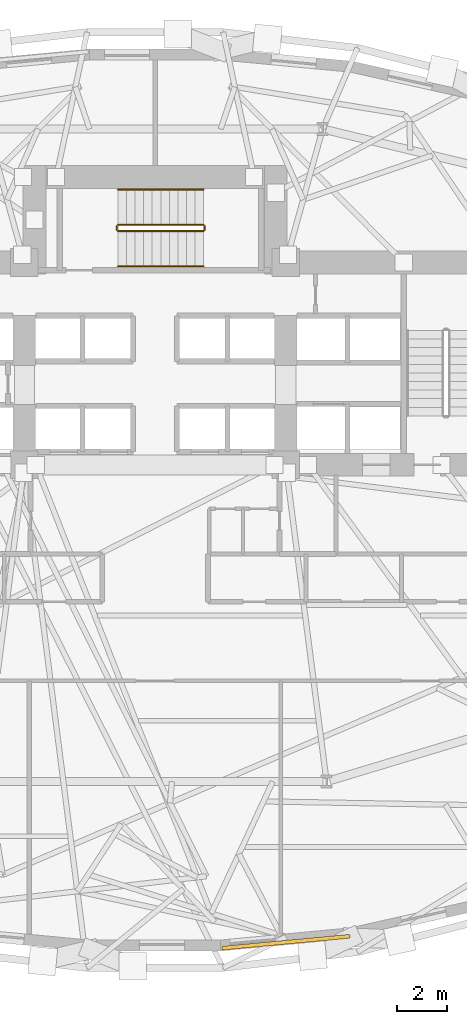
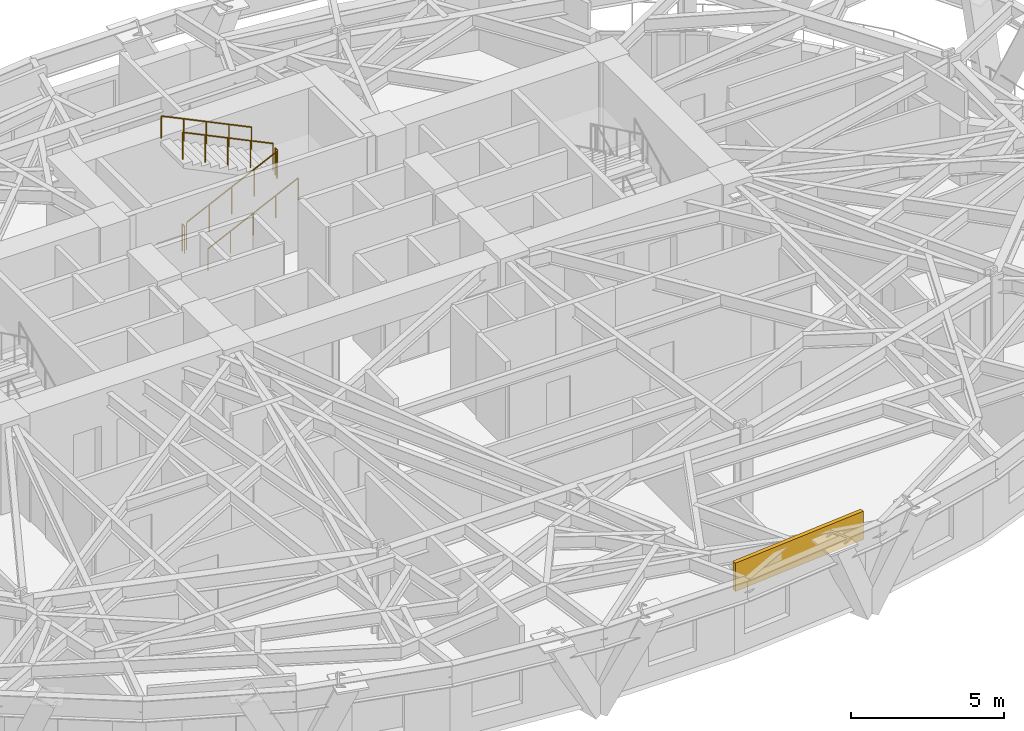
# One storey, part 13 of 15: 6 railings, 1 covering.
"""IFC4 building model written with IfcOpenShell, lengths in metres."""

from ifc_helpers import new_model, si_unit, direction, frame, origin, origin_2d, place, context, subcontext, project, spatial, rectangle, circle, extrude, material, layer, layer_set, type_object, element, save


model = new_model("IFC4")

# Units and contexts
model_context = context("Model", 3, precision=1e-05, world=origin(), true_north=direction((0.0, 1.0)))
body_context = subcontext(model_context, "Body", "Model", "MODEL_VIEW")
ifc_project = project(units=[si_unit("LENGTHUNIT", "METRE"), si_unit("AREAUNIT", "SQUARE_METRE"), si_unit("VOLUMEUNIT", "CUBIC_METRE"), si_unit("PLANEANGLEUNIT", "RADIAN"), si_unit("MASSUNIT", "GRAM", prefix="KILO")], contexts=[model_context])

# Site, building, storey
site_placement = place(None, origin())
site = spatial("IfcSite", under=ifc_project, at=site_placement, CompositionType="ELEMENT")
building_placement = place(site_placement, origin())
building = spatial("IfcBuilding", under=site, at=building_placement, Name="Keldmark Tower", CompositionType="ELEMENT")
storey_placement = place(building_placement, frame((0.0, 0.0, 37.800048828125)))
storey = spatial("IfcBuildingStorey", under=building, at=storey_placement, Name="L09", CompositionType="ELEMENT", Elevation=37.800048828125)

# Covering
ifc_material_1 = material(Name="Honed Kasota Buff Dolomitic Limestone", Category="masonry")
ifc_layer = layer(ifc_material_1, 0.074951171875)
ifc_layer_set = layer_set([ifc_layer], Name="Honed Kasota Buff Dolomitic Limestone")
covering_type = type_object("IfcCoveringType", Name="Kasota Buff Limestone Spandrel Cladding Band", PredefinedType="CLADDING", material=ifc_layer_set)
covering_placement = place(storey_placement, frame((5.2041015625, -17.59375, 2.452880859375), z_axis=(0.0, 0.0, 1.0), x_axis=(0.995651843396, 0.093152599226, 0.0)))
element("IfcCovering", 1, at=covering_placement, inside=storey, type_object=covering_type, Name="L09 Kasota Limestone Spandrel Band 25", PredefinedType="CLADDING", context=body_context, shape_type="SweptSolid", body=[
    extrude(rectangle(XDim=5.1123046875, YDim=0.14990234375, at=origin_2d()), origin(), (0.0, 0.0, 1.0), 1.126953125),
])

# Railings
ifc_material_2 = material(Name="Painted Steel ASTM A500 Grade B", Category="steel")
railing_type_1 = type_object("IfcRailingType", Name="Painted Steel Stair Well Guard 1100 mm", PredefinedType="GUARDRAIL", material=ifc_material_2)
railing_1_placement = place(storey_placement, frame((-1.47509765625, 10.699951171875, 0.16357421875)))
element("IfcRailing", 2, at=railing_1_placement, inside=storey, type_object=railing_type_1, Name="L09 ST3 stair guard 1", PredefinedType="GUARDRAIL", context=body_context, shape_type="SweptSolid", body=[
    extrude(circle(Radius=0.02392578125, at=origin_2d()), frame((0.0, 0.0, 1.076171875), z_axis=(0.901067223353, 0.0, 0.433679442675), x_axis=(0.0, 1.0, 0.0)), (0.0, 0.0, 1.0), 3.7734375),
    extrude(circle(Radius=0.02099609375, at=origin_2d()), origin(), (0.0, 0.0, 1.0), 1.052001953125),
    extrude(circle(Radius=0.02099609375, at=origin_2d()), frame((0.85009765625, 0.0, 0.4091796875)), (0.0, 0.0, 1.0), 1.052001953125),
    extrude(circle(Radius=0.02099609375, at=origin_2d()), frame((1.7001953125, 0.0, 0.818359375)), (0.0, 0.0, 1.0), 1.052001953125),
    extrude(circle(Radius=0.02099609375, at=origin_2d()), frame((2.550048828125, 0.0, 1.227294921875)), (0.0, 0.0, 1.0), 1.052001953125),
    extrude(circle(Radius=0.02099609375, at=origin_2d()), frame((3.400146484375, 0.0, 1.636474609375)), (0.0, 0.0, 1.0), 1.052001953125),
])
railing_2_placement = place(storey_placement, frame((1.97509765625, 10.75, 1.800048828125)))
element("IfcRailing", 3, at=railing_2_placement, inside=storey, type_object=railing_type_1, Name="L09 ST3 stair guard 2", PredefinedType="GUARDRAIL", context=body_context, shape_type="SweptSolid", body=[
    extrude(circle(Radius=0.02392578125, at=origin_2d()), frame((0.0, 0.0, 1.076171875), z_axis=(0.0, 1.0, 0.0), x_axis=(-1.0, 0.0, 0.0)), (0.0, 0.0, 1.0), 0.14990234375),
    extrude(circle(Radius=0.02099609375, at=origin_2d()), origin(), (0.0, 0.0, 1.0), 1.052001953125),
    extrude(circle(Radius=0.02099609375, at=origin_2d()), frame((0.0, 0.14990234375, 0.0)), (0.0, 0.0, 1.0), 1.052001953125),
])
railing_3_placement = place(storey_placement, frame((1.925048828125, 10.949951171875, 1.963623046875)))
element("IfcRailing", 4, at=railing_3_placement, inside=storey, type_object=railing_type_1, Name="L09 ST3 stair guard 3", PredefinedType="GUARDRAIL", context=body_context, shape_type="SweptSolid", body=[
    extrude(circle(Radius=0.02392578125, at=origin_2d()), frame((0.0, 0.0, 1.076171875), z_axis=(-0.901092505359, 0.0, 0.433626909666), x_axis=(0.0, -1.0, 0.0)), (0.0, 0.0, 1.0), 3.7734375),
    extrude(circle(Radius=0.02099609375, at=origin_2d()), origin(), (0.0, 0.0, 1.0), 1.052001953125),
    extrude(circle(Radius=0.02099609375, at=origin_2d()), frame((-0.85009765625, 0.0, 0.4091796875)), (0.0, 0.0, 1.0), 1.052001953125),
    extrude(circle(Radius=0.02099609375, at=origin_2d()), frame((-1.7001953125, 0.0, 0.818115234375)), (0.0, 0.0, 1.0), 1.052001953125),
    extrude(circle(Radius=0.02099609375, at=origin_2d()), frame((-2.550048828125, 0.0, 1.22705078125)), (0.0, 0.0, 1.0), 1.052001953125),
    extrude(circle(Radius=0.02099609375, at=origin_2d()), frame((-3.400146484375, 0.0, 1.63623046875)), (0.0, 0.0, 1.0), 1.052001953125),
])
railing_4_placement = place(storey_placement, frame((-1.52490234375, 10.75, 0.0)))
element("IfcRailing", 5, at=railing_4_placement, inside=storey, type_object=railing_type_1, Name="L09 ST3 stair guard 4", PredefinedType="GUARDRAIL", context=body_context, shape_type="SweptSolid", body=[
    extrude(circle(Radius=0.02392578125, at=origin_2d()), frame((0.0, 0.0, 1.076171875), z_axis=(0.0, 1.0, 0.0), x_axis=(-1.0, 0.0, 0.0)), (0.0, 0.0, 1.0), 0.14990234375),
    extrude(circle(Radius=0.02099609375, at=origin_2d()), origin(), (0.0, 0.0, 1.0), 1.052001953125),
    extrude(circle(Radius=0.02099609375, at=origin_2d()), frame((0.0, 0.14990234375, 0.0)), (0.0, 0.0, 1.0), 1.052001953125),
])
ifc_material_3 = material(Name="Stainless Steel AISI 316L", Category="steel")
railing_type_2 = type_object("IfcRailingType", Name="Stainless Steel Stair Handrail 900 mm", PredefinedType="HANDRAIL", material=ifc_material_3)
railing_5_placement = place(storey_placement, frame((-1.47509765625, 9.300048828125, 0.16357421875)))
element("IfcRailing", 6, at=railing_5_placement, inside=storey, type_object=railing_type_2, Name="L09 ST3 stair handrail 1", PredefinedType="HANDRAIL", context=body_context, shape_type="SweptSolid", body=[
    extrude(circle(Radius=0.02392578125, at=origin_2d()), frame((0.0, 0.0, 0.8759765625), z_axis=(0.901067223353, 0.0, 0.433679442675), x_axis=(0.0, 1.0, 0.0)), (0.0, 0.0, 1.0), 3.7734375),
    extrude(circle(Radius=0.02099609375, at=origin_2d()), origin(), (0.0, 0.0, 1.0), 0.851806640625),
    extrude(circle(Radius=0.02099609375, at=origin_2d()), frame((0.85009765625, 0.0, 0.4091796875)), (0.0, 0.0, 1.0), 0.851806640625),
    extrude(circle(Radius=0.02099609375, at=origin_2d()), frame((1.7001953125, 0.0, 0.818359375)), (0.0, 0.0, 1.0), 0.851806640625),
    extrude(circle(Radius=0.02099609375, at=origin_2d()), frame((2.550048828125, 0.0, 1.227294921875)), (0.0, 0.0, 1.0), 0.851806640625),
    extrude(circle(Radius=0.02099609375, at=origin_2d()), frame((3.400146484375, 0.0, 1.636474609375)), (0.0, 0.0, 1.0), 0.851806640625),
])
railing_6_placement = place(storey_placement, frame((1.925048828125, 12.35009765625, 1.963623046875)))
element("IfcRailing", 7, at=railing_6_placement, inside=storey, type_object=railing_type_2, Name="L09 ST3 stair handrail 2", PredefinedType="HANDRAIL", context=body_context, shape_type="SweptSolid", body=[
    extrude(circle(Radius=0.02392578125, at=origin_2d()), frame((0.0, 0.0, 0.8759765625), z_axis=(-0.901092505359, 0.0, 0.433626909666), x_axis=(0.0, -1.0, 0.0)), (0.0, 0.0, 1.0), 3.7734375),
    extrude(circle(Radius=0.02099609375, at=origin_2d()), origin(), (0.0, 0.0, 1.0), 0.851806640625),
    extrude(circle(Radius=0.02099609375, at=origin_2d()), frame((-0.85009765625, 0.0, 0.4091796875)), (0.0, 0.0, 1.0), 0.851806640625),
    extrude(circle(Radius=0.02099609375, at=origin_2d()), frame((-1.7001953125, 0.0, 0.818115234375)), (0.0, 0.0, 1.0), 0.851806640625),
    extrude(circle(Radius=0.02099609375, at=origin_2d()), frame((-2.550048828125, 0.0, 1.22705078125)), (0.0, 0.0, 1.0), 0.851806640625),
    extrude(circle(Radius=0.02099609375, at=origin_2d()), frame((-3.400146484375, 0.0, 1.63623046875)), (0.0, 0.0, 1.0), 0.851806640625),
])

save(model, "model.ifc")
